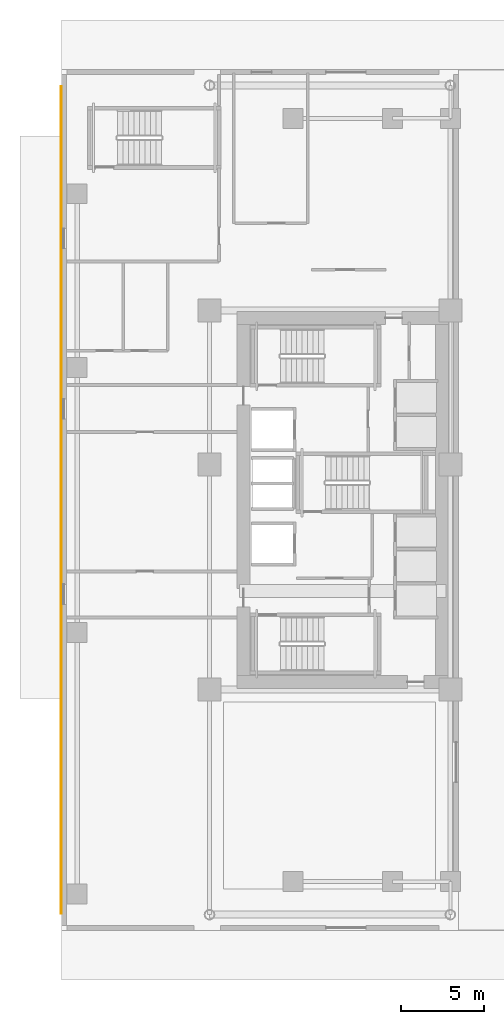
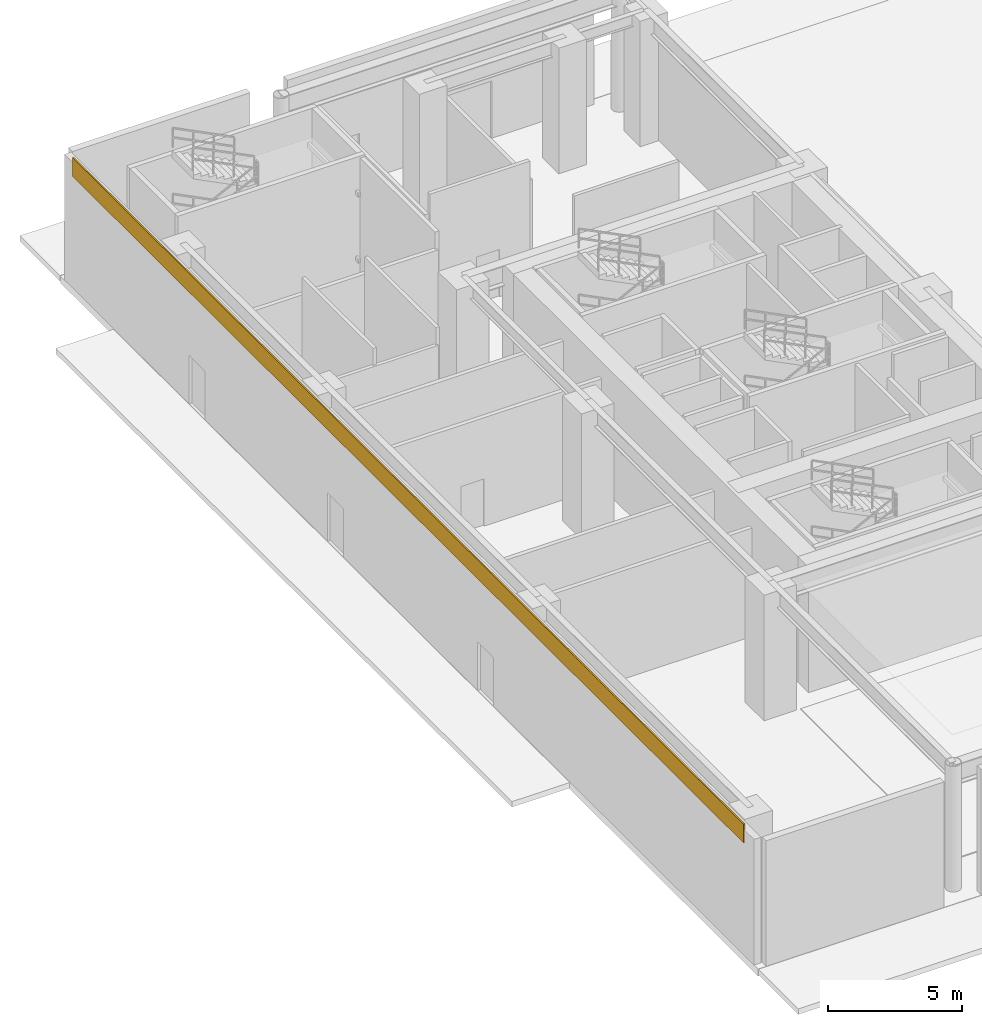
# One storey, part 11 of 17: 1 covering.
"""IFC4 building model written with IfcOpenShell, lengths in metres."""

from ifc_helpers import new_model, si_unit, direction, frame, origin, origin_2d, place, context, subcontext, project, spatial, rectangle, extrude, source, transform, mapped, material, layer, layer_set, type_object, element, save


model = new_model("IFC4")

# Units and contexts
model_context = context("Model", 3, precision=1e-05, world=origin(), true_north=direction((0.0, 1.0)))
body_context = subcontext(model_context, "Body", "Model", "MODEL_VIEW")
ifc_project = project(units=[si_unit("LENGTHUNIT", "METRE"), si_unit("AREAUNIT", "SQUARE_METRE"), si_unit("VOLUMEUNIT", "CUBIC_METRE"), si_unit("PLANEANGLEUNIT", "RADIAN"), si_unit("MASSUNIT", "GRAM", prefix="KILO")], contexts=[model_context])

# Site, building, storey
site_placement = place(None, origin())
site = spatial("IfcSite", under=ifc_project, at=site_placement, CompositionType="ELEMENT")
building_placement = place(site_placement, origin())
building = spatial("IfcBuilding", under=site, at=building_placement, Name="Ocotamira Hotel", CompositionType="ELEMENT")
storey_placement = place(building_placement, origin())
storey = spatial("IfcBuildingStorey", under=building, at=storey_placement, Name="L01", CompositionType="ELEMENT", Elevation=0.0)

# Covering
ifc_material = material(Name="Pale-metal champagne aluminium rainscreen cladding", Category="aluminium")
ifc_layer = layer(ifc_material, 0.06005859375)
ifc_layer_set = layer_set([ifc_layer], Name="Pale-metal champagne aluminium rainscreen cladding")
covering_type = type_object("IfcCoveringType", Name="COV-CLAD-60", PredefinedType="CLADDING", material=ifc_layer_set)
shared_shape = source(origin(), body_context, "Body", "SweptSolid", [
    extrude(rectangle(XDim=0.06005859375, YDim=50.0, at=origin_2d()), origin(), (0.0, 0.0, 1.0), 0.85009765625),
])
covering_placement = place(storey_placement, frame((-0.02001953125, 26.0, 5.14990234375), z_axis=(0.0, 0.0, 1.0), x_axis=(1.0, 0.0, 0.0)))
element("IfcCovering", 1, at=covering_placement, inside=storey, type_object=covering_type, Name="L01 West Spandrel Cladding", PredefinedType="CLADDING", context=body_context, shape_type="MappedRepresentation", body=[
    mapped(shared_shape, transform((0.0, 0.0, 0.0), scale=1.0)),
])

save(model, "model.ifc")
